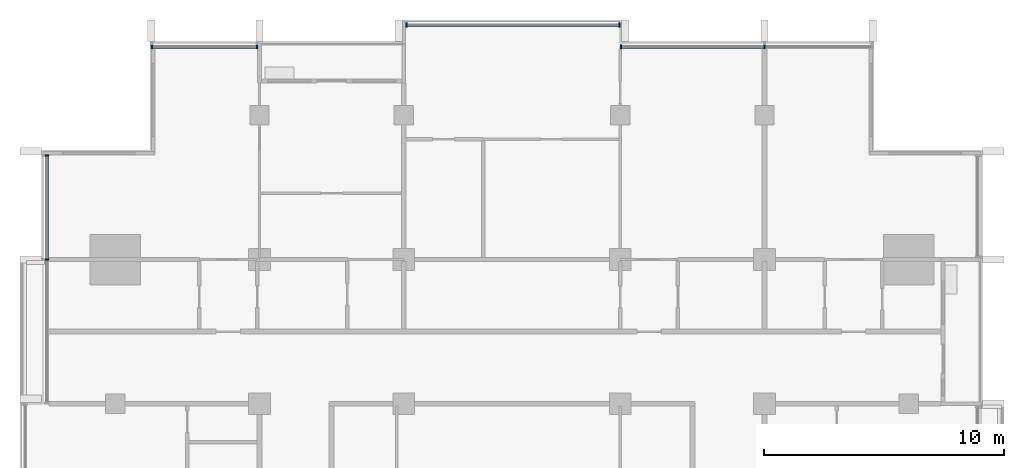
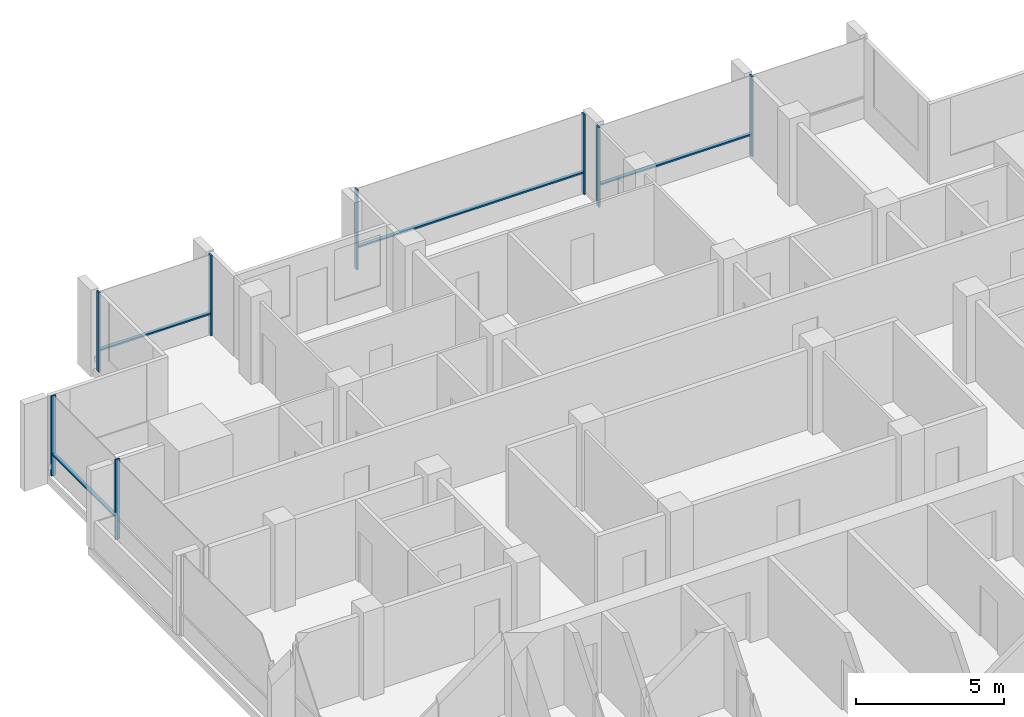
# One storey, part 4 of 16: 12 members, 4 elements without a shape of their own.
"""IFC4 building model written with IfcOpenShell, lengths in metres."""

from ifc_helpers import new_model, si_unit, direction, frame, origin, origin_2d, place, context, subcontext, project, spatial, rectangle, extrude, material, material_profile, profile_set, type_object, element, aggregate, save


model = new_model("IFC4")

# Units and contexts
model_context = context("Model", 3, precision=1e-05, world=origin(), true_north=direction((0.0, 1.0)))
body_context = subcontext(model_context, "Body", "Model", "MODEL_VIEW")
ifc_project = project(units=[si_unit("LENGTHUNIT", "METRE"), si_unit("AREAUNIT", "SQUARE_METRE"), si_unit("VOLUMEUNIT", "CUBIC_METRE"), si_unit("PLANEANGLEUNIT", "RADIAN"), si_unit("MASSUNIT", "GRAM", prefix="KILO")], contexts=[model_context])

# Site, building, storey
site_placement = place(None, origin())
site = spatial("IfcSite", under=ifc_project, at=site_placement, CompositionType="ELEMENT")
building_placement = place(site_placement, origin())
building = spatial("IfcBuilding", under=site, at=building_placement, Name="Finial Court Residences", CompositionType="ELEMENT")
storey_placement = place(building_placement, frame((0.0, 0.0, 237.5)))
storey = spatial("IfcBuildingStorey", under=building, at=storey_placement, Name="L60", CompositionType="ELEMENT", Elevation=237.5)

# Curtain wall, members
ifc_material = material(Name="Bronze anodised aluminium", Category="aluminium")
curtain_wall_type = type_object("IfcCurtainWallType", Name="Unitised curtain wall, upper zones", PredefinedType="NOTDEFINED", material=ifc_material)
curtain_wall_1_placement = place(storey_placement, origin())
curtain_wall_1 = element("IfcCurtainWall", 1, at=curtain_wall_1_placement, inside=storey, type_object=curtain_wall_type, Name="E-L60-CW-N1", PredefinedType="NOTDEFINED")
ifc_material_profile_1 = material_profile(ifc_material, rectangle(XDim=0.175048828125, YDim=0.06005859375, at=origin_2d()), Name="CW2 mullion 60 x 175")
ifc_profile_set_1 = profile_set([ifc_material_profile_1], Name="Bronze anodised aluminium")
member_type_1 = type_object("IfcMemberType", Name="CW2 mullion 60 x 175", PredefinedType="MULLION", material=ifc_profile_set_1)
member_1_placement = place(storey_placement, frame((-14.969970703125, 16.35009765625, 0.0), z_axis=(0.0, 0.0, 1.0), x_axis=(0.0, 1.0, 0.0)))
member_1 = element("IfcMember", 2, at=member_1_placement, type_object=member_type_1, Name="CW2 mullion 1", PredefinedType="MULLION", context=body_context, shape_type="SweptSolid", body=[
    extrude(rectangle(XDim=0.175048828125, YDim=0.06005859375, at=origin_2d()), origin(), (0.0, 0.0, 1.0), 3.300048828125),
])
member_2_placement = place(storey_placement, frame((-10.60498046875, 16.35009765625, 0.0), z_axis=(0.0, 0.0, 1.0), x_axis=(0.0, 1.0, 0.0)))
member_2 = element("IfcMember", 3, at=member_2_placement, type_object=member_type_1, Name="CW2 mullion 2", PredefinedType="MULLION", context=body_context, shape_type="SweptSolid", body=[
    extrude(rectangle(XDim=0.175048828125, YDim=0.06005859375, at=origin_2d()), origin(), (0.0, 0.0, 1.0), 3.300048828125),
])

curtain_wall_2_placement = place(storey_placement, origin())
curtain_wall_2 = element("IfcCurtainWall", 4, at=curtain_wall_2_placement, inside=storey, type_object=curtain_wall_type, Name="E-L60-CW-N2", PredefinedType="NOTDEFINED")
member_3_placement = place(storey_placement, frame((-4.39501953125, 17.25, 0.0), z_axis=(0.0, 0.0, 1.0), x_axis=(0.0, 1.0, 0.0)))
member_3 = element("IfcMember", 5, at=member_3_placement, type_object=member_type_1, Name="CW2 mullion 1", PredefinedType="MULLION", context=body_context, shape_type="SweptSolid", body=[
    extrude(rectangle(XDim=0.175048828125, YDim=0.06005859375, at=origin_2d()), origin(), (0.0, 0.0, 1.0), 3.300048828125),
])
member_4_placement = place(storey_placement, frame((4.469970703125, 17.25, 0.0), z_axis=(0.0, 0.0, 1.0), x_axis=(0.0, 1.0, 0.0)))
member_4 = element("IfcMember", 6, at=member_4_placement, type_object=member_type_1, Name="CW2 mullion 2", PredefinedType="MULLION", context=body_context, shape_type="SweptSolid", body=[
    extrude(rectangle(XDim=0.175048828125, YDim=0.06005859375, at=origin_2d()), origin(), (0.0, 0.0, 1.0), 3.300048828125),
])

curtain_wall_3_placement = place(storey_placement, origin())
curtain_wall_3 = element("IfcCurtainWall", 7, at=curtain_wall_3_placement, inside=storey, type_object=curtain_wall_type, Name="E-L60-CW-N3", PredefinedType="NOTDEFINED")
member_5_placement = place(storey_placement, frame((4.530029296875, 16.35009765625, 0.0), z_axis=(0.0, 0.0, 1.0), x_axis=(0.0, 1.0, 0.0)))
member_5 = element("IfcMember", 8, at=member_5_placement, type_object=member_type_1, Name="CW2 mullion 1", PredefinedType="MULLION", context=body_context, shape_type="SweptSolid", body=[
    extrude(rectangle(XDim=0.175048828125, YDim=0.06005859375, at=origin_2d()), origin(), (0.0, 0.0, 1.0), 3.300048828125),
])
member_6_placement = place(storey_placement, frame((10.5, 16.35009765625, 0.0), z_axis=(0.0, 0.0, 1.0), x_axis=(0.0, 1.0, 0.0)))
member_6 = element("IfcMember", 9, at=member_6_placement, type_object=member_type_1, Name="CW2 mullion 2", PredefinedType="MULLION", context=body_context, shape_type="SweptSolid", body=[
    extrude(rectangle(XDim=0.175048828125, YDim=0.06005859375, at=origin_2d()), origin(), (0.0, 0.0, 1.0), 3.300048828125),
])

curtain_wall_4_placement = place(storey_placement, origin())
curtain_wall_4 = element("IfcCurtainWall", 10, at=curtain_wall_4_placement, inside=storey, type_object=curtain_wall_type, Name="E-L60-CW-W12", PredefinedType="NOTDEFINED")
member_7_placement = place(storey_placement, frame((-19.35009765625, 7.5, 0.0), z_axis=(0.0, 0.0, 1.0), x_axis=(-1.0, 0.0, 0.0)))
member_7 = element("IfcMember", 11, at=member_7_placement, type_object=member_type_1, Name="CW2 mullion 2", PredefinedType="MULLION", context=body_context, shape_type="SweptSolid", body=[
    extrude(rectangle(XDim=0.175048828125, YDim=0.06005859375, at=origin_2d()), origin(), (0.0, 0.0, 1.0), 3.300048828125),
])
member_8_placement = place(storey_placement, frame((-19.35009765625, 11.820068359375, 0.0), z_axis=(0.0, 0.0, 1.0), x_axis=(-1.0, 0.0, 0.0)))
member_8 = element("IfcMember", 12, at=member_8_placement, type_object=member_type_1, Name="CW2 mullion 3", PredefinedType="MULLION", context=body_context, shape_type="SweptSolid", body=[
    extrude(rectangle(XDim=0.175048828125, YDim=0.06005859375, at=origin_2d()), origin(), (0.0, 0.0, 1.0), 3.300048828125),
])

# Member
ifc_material_profile_2 = material_profile(ifc_material, rectangle(XDim=0.139892578125, YDim=0.06005859375, at=origin_2d()), Name="CW2 transom 60 x 140")
ifc_profile_set_2 = profile_set([ifc_material_profile_2], Name="Bronze anodised aluminium")
member_type_2 = type_object("IfcMemberType", Name="CW2 transom 60 x 140", PredefinedType="USERDEFINED", material=ifc_profile_set_2)
member_9_placement = place(storey_placement, frame((-14.93994140625, 16.35009765625, 0.89990234375), z_axis=(1.0, 0.0, 0.0), x_axis=(0.0, 1.0, 0.0)))
member_9 = element("IfcMember", 13, at=member_9_placement, type_object=member_type_2, Name="CW2 transom 1.1", ObjectType="TRANSOM", PredefinedType="USERDEFINED", context=body_context, shape_type="SweptSolid", body=[
    extrude(rectangle(XDim=0.139892578125, YDim=0.06005859375, at=origin_2d()), origin(), (0.0, 0.0, 1.0), 4.304931640625),
])

aggregate(curtain_wall_1, [member_1, member_2, member_9])

member_10_placement = place(storey_placement, frame((-4.364990234375, 17.25, 0.89990234375), z_axis=(1.0, 0.0, 0.0), x_axis=(0.0, 1.0, 0.0)))
member_10 = element("IfcMember", 14, at=member_10_placement, type_object=member_type_2, Name="CW2 transom 1.1", ObjectType="TRANSOM", PredefinedType="USERDEFINED", context=body_context, shape_type="SweptSolid", body=[
    extrude(rectangle(XDim=0.139892578125, YDim=0.06005859375, at=origin_2d()), origin(), (0.0, 0.0, 1.0), 8.804931640625),
])

aggregate(curtain_wall_2, [member_3, member_4, member_10])

member_11_placement = place(storey_placement, frame((4.56005859375, 16.35009765625, 0.89990234375), z_axis=(1.0, 0.0, 0.0), x_axis=(0.0, 1.0, 0.0)))
member_11 = element("IfcMember", 15, at=member_11_placement, type_object=member_type_2, Name="CW2 transom 1.1", ObjectType="TRANSOM", PredefinedType="USERDEFINED", context=body_context, shape_type="SweptSolid", body=[
    extrude(rectangle(XDim=0.139892578125, YDim=0.06005859375, at=origin_2d()), origin(), (0.0, 0.0, 1.0), 5.909912109375),
])

aggregate(curtain_wall_3, [member_5, member_6, member_11])

member_12_placement = place(storey_placement, frame((-19.35009765625, 7.530029296875, 0.89990234375), z_axis=(0.0, 1.0, 0.0), x_axis=(-1.0, 0.0, 0.0)))
member_12 = element("IfcMember", 16, at=member_12_placement, type_object=member_type_2, Name="CW2 transom 2.1", ObjectType="TRANSOM", PredefinedType="USERDEFINED", context=body_context, shape_type="SweptSolid", body=[
    extrude(rectangle(XDim=0.139892578125, YDim=0.06005859375, at=origin_2d()), origin(), (0.0, 0.0, 1.0), 4.260009765625),
])

aggregate(curtain_wall_4, [member_7, member_8, member_12])

save(model, "model.ifc")
